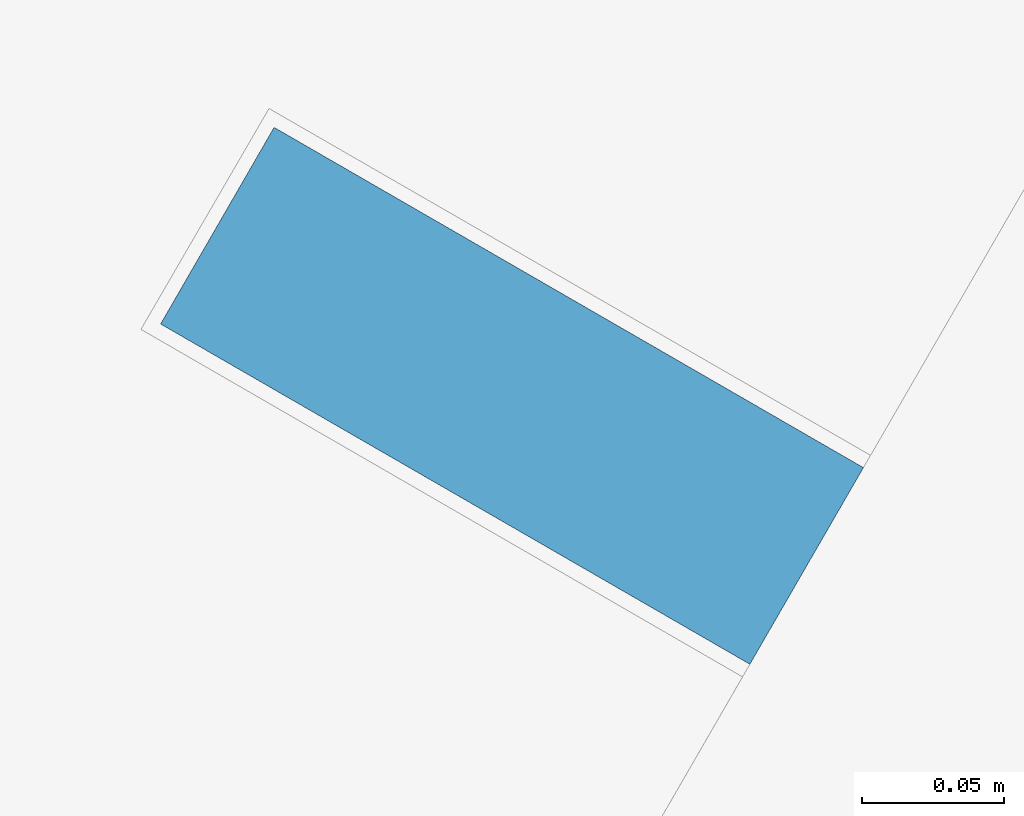
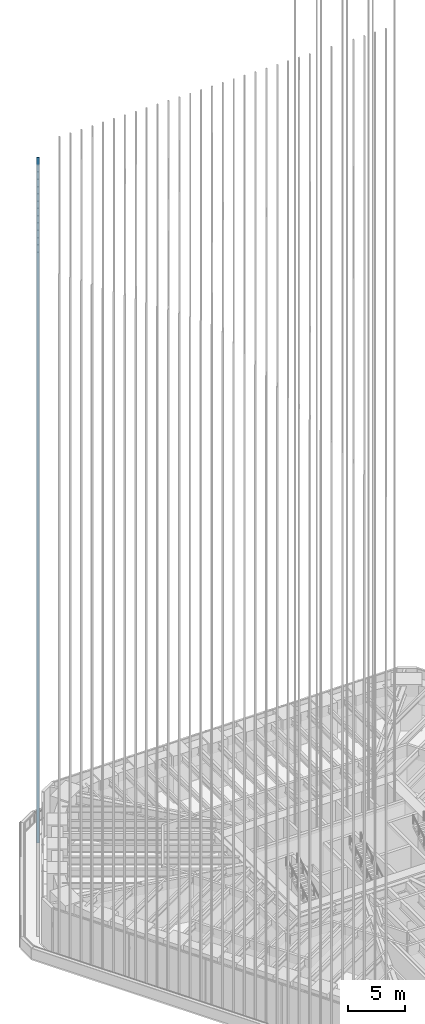
# One storey, part 153 of 228: 1 member, 1 element without a shape of its own.
"""IFC4 building model written with IfcOpenShell, lengths in metres."""

from ifc_helpers import new_model, si_unit, direction, frame, origin, origin_2d, place, context, subcontext, project, spatial, rectangle, extrude, material, material_profile, profile_set, type_object, element, aggregate, save


model = new_model("IFC4")

# Units and contexts
model_context = context("Model", 3, precision=1e-05, world=origin(), true_north=direction((0.0, 1.0)))
body_context = subcontext(model_context, "Body", "Model", "MODEL_VIEW")
ifc_project = project(units=[si_unit("LENGTHUNIT", "METRE"), si_unit("AREAUNIT", "SQUARE_METRE"), si_unit("VOLUMEUNIT", "CUBIC_METRE"), si_unit("PLANEANGLEUNIT", "RADIAN"), si_unit("MASSUNIT", "GRAM", prefix="KILO")], contexts=[model_context])

# Site, building, storey
site_placement = place(None, origin())
site = spatial("IfcSite", under=ifc_project, at=site_placement, CompositionType="ELEMENT")
building_placement = place(site_placement, origin())
building = spatial("IfcBuilding", under=site, at=building_placement, Name="Sandreach Pilgrim Tower", CompositionType="ELEMENT")
storey_placement = place(building_placement, frame((0.0, 0.0, 178.199951171875)))
storey = spatial("IfcBuildingStorey", under=building, at=storey_placement, Name="L44", CompositionType="ELEMENT", Elevation=178.199951171875)

# Curtain wall, member
ifc_material_1 = material(Name="Aluminium framed curtain wall", Category="aluminium")
curtain_wall_type = type_object("IfcCurtainWallType", Name="Upper hotel tower curtain wall", PredefinedType="NOTDEFINED", material=ifc_material_1)
curtain_wall_placement = place(storey_placement, origin())
curtain_wall = element("IfcCurtainWall", 1, at=curtain_wall_placement, inside=storey, type_object=curtain_wall_type, Name="CW-3 L44 NW", PredefinedType="NOTDEFINED")
ifc_material_2 = material(Name="Extruded terracotta on aluminium core", Category="masonry")
ifc_material_profile = material_profile(ifc_material_2, rectangle(XDim=0.080078125, YDim=0.239990234375, at=origin_2d()), Name="TBW 80X240")
ifc_profile_set = profile_set([ifc_material_profile], Name="Extruded terracotta on aluminium core")
member_type = type_object("IfcMemberType", Name="Terracotta baguette west", PredefinedType="USERDEFINED", material=ifc_profile_set)
member_placement = place(storey_placement, frame((-19.72119140625, 19.732177734375, 0.0), z_axis=(0.0, 0.0, 1.0), x_axis=(0.5, 0.866025403784, 0.0)))
member = element("IfcMember", 2, at=member_placement, type_object=member_type, Name="Baguette Z3 NW14", ObjectType="BAGUETTE", PredefinedType="USERDEFINED", context=body_context, shape_type="SweptSolid", body=[
    extrude(rectangle(XDim=0.080078125, YDim=0.239990234375, at=origin_2d()), origin(), (0.0, 0.0, 1.0), 73.239990234375),
])
aggregate(curtain_wall, [member])

save(model, "model.ifc")
